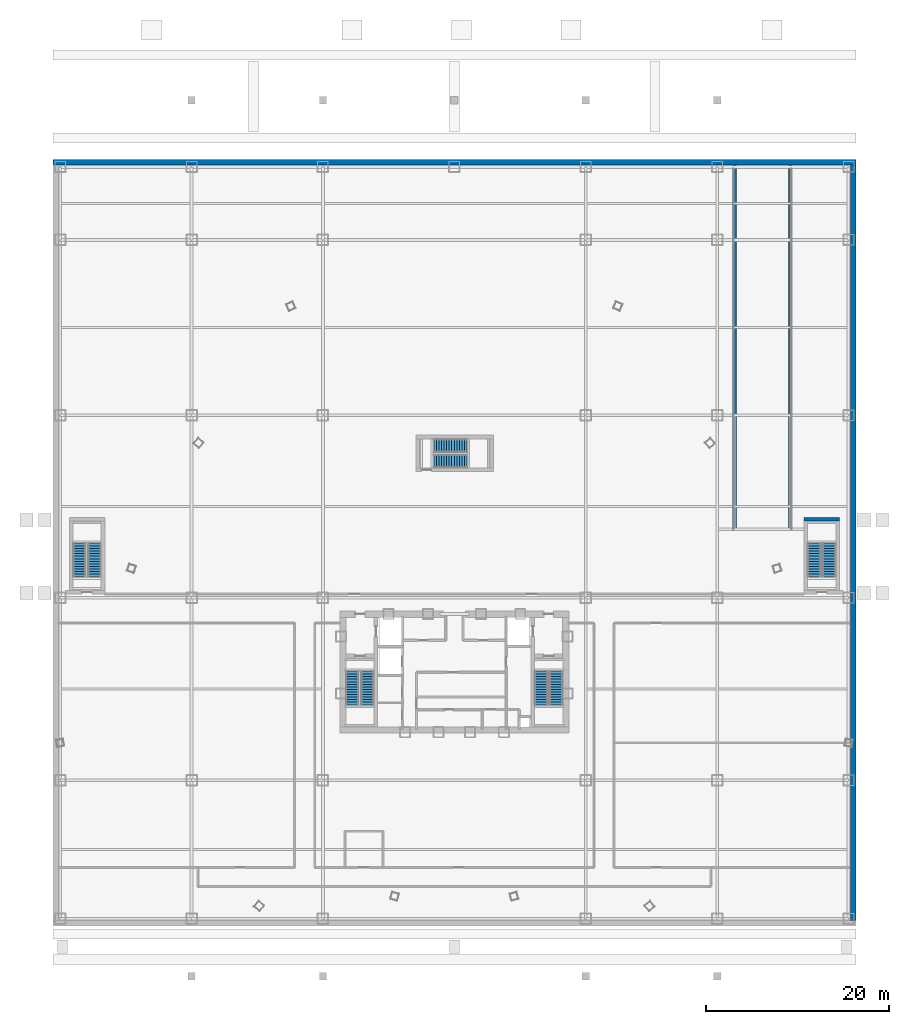
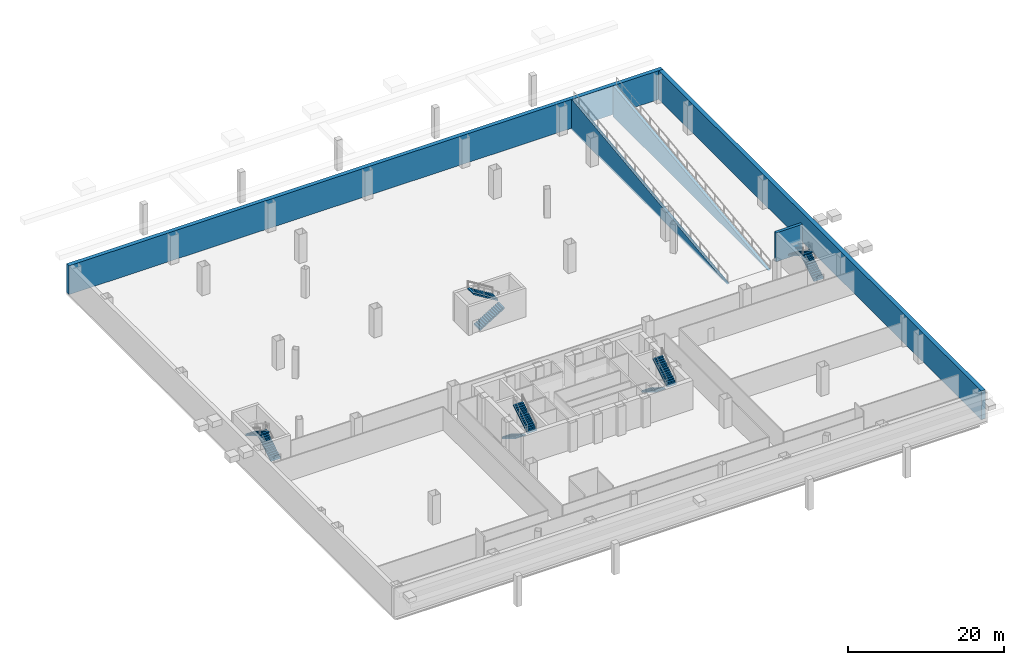
# One storey, part 12 of 16: 10 stair flights, 5 walls, 5 elements without a shape of their own.
"""IFC4 building model written with IfcOpenShell, lengths in metres."""

from ifc_helpers import new_model, si_unit, direction, frame, frame_2d, origin, place, context, subcontext, project, spatial, polyline, rectangle, outline, extrude, source, transform, mapped, material, layer, layer_set, type_object, element, aggregate, save


model = new_model("IFC4")

# Units and contexts
model_context = context("Model", 3, precision=1e-05, world=origin(), true_north=direction((0.0, 1.0)))
body_context = subcontext(model_context, "Body", "Model", "MODEL_VIEW")
ifc_project = project(units=[si_unit("LENGTHUNIT", "METRE"), si_unit("AREAUNIT", "SQUARE_METRE"), si_unit("VOLUMEUNIT", "CUBIC_METRE"), si_unit("PLANEANGLEUNIT", "RADIAN"), si_unit("MASSUNIT", "GRAM", prefix="KILO"), si_unit("THERMODYNAMICTEMPERATUREUNIT", "KELVIN"), si_unit("POWERUNIT", "WATT")], contexts=[model_context])

# Site, building, storey
site_placement = place(None, origin())
site = spatial("IfcSite", under=ifc_project, at=site_placement, CompositionType="ELEMENT")
building_placement = place(site_placement, origin())
building = spatial("IfcBuilding", under=site, at=building_placement, Name="Yunzhuo Pagoda Commons", CompositionType="ELEMENT")
storey_placement = place(building_placement, frame((0.0, 0.0, -4.800048828125)))
storey = spatial("IfcBuildingStorey", under=building, at=storey_placement, Name="B01", CompositionType="ELEMENT", Elevation=-4.800048828125)

# Walls
ifc_material_1 = material(Name="Concrete C50", Category="concrete")
ifc_layer_1 = layer(ifc_material_1, 0.60009765625)
ifc_layer_set_1 = layer_set([ifc_layer_1], Name="Concrete C50")
wall_type_1 = type_object("IfcWallType", Name="W-B01 Basement Perimeter Retaining Wall 600", PredefinedType="SHEAR", material=ifc_layer_set_1)
wall_1_placement = place(storey_placement, frame((4.0, 89.699951171875, 0.0), z_axis=(0.0, 0.0, 1.0), x_axis=(1.0, 0.0, 0.0)))
element("IfcWall", 1, at=wall_1_placement, inside=storey, type_object=wall_type_1, Name="B01 N basement retaining wall", PredefinedType="SHEAR", context=body_context, shape_type="SweptSolid", body=[
    extrude(rectangle(XDim=88.0, YDim=0.60009765625, at=frame_2d((44.0, 0.0))), origin(), (0.0, 0.0, 1.0), 4.52001953125),
])
wall_2_placement = place(storey_placement, frame((91.699951171875, 6.60009765625, 0.0), z_axis=(0.0, 0.0, 1.0), x_axis=(0.0, 1.0, 0.0)))
element("IfcWall", 2, at=wall_2_placement, inside=storey, type_object=wall_type_1, Name="B01 E basement retaining wall", PredefinedType="SHEAR", context=body_context, shape_type="SweptSolid", body=[
    extrude(rectangle(XDim=82.7998046875, YDim=0.60009765625, at=frame_2d((41.39990234375, 0.0))), origin(), (0.0, 0.0, 1.0), 4.52001953125),
])
ifc_material_2 = material(Name="Concrete C60", Category="concrete")
ifc_layer_2 = layer(ifc_material_2, 0.39990234375)
ifc_layer_set_2 = layer_set([ifc_layer_2], Name="Concrete C60")
wall_type_2 = type_object("IfcWallType", Name="W-S01 Internal Core Shear Web 400", PredefinedType="SHEAR", material=ifc_layer_set_2)
for number, where, z_axis, x_axis, name in (
    (3, (78.699951171875, 49.550048828125, -0.300048828125), (0.0, 0.0, 1.0), (0.0, 1.0, 0.0), "B01 vehicle ramp west sloped support shear wall"),
    (4, (84.800048828125, 49.550048828125, -0.300048828125), (0.0, 0.0, 1.0), (0.0, 1.0, 0.0), "B01 vehicle ramp east sloped support shear wall"),
):
    element("IfcWall", number, at=place(storey_placement, frame(where, z_axis=z_axis, x_axis=x_axis)), inside=storey, type_object=wall_type_2, Name=name, PredefinedType="SHEAR", context=body_context, shape_type="SweptSolid", body=[
        extrude(outline(polyline([(0.0, 0.0), (39.849853515625, 0.0), (39.85009765625, 4.820068359375), (39.449951171875, 4.800048828125), (0.0, 0.010009765625), (0.0, 0.0)])), frame((0.0, 0.199951171875, 0.0), z_axis=(0.0, -1.0, 0.0), x_axis=(1.0, 0.0, 0.0)), (0.0, 0.0, 1.0), 0.39990234375),
    ])
wall_3_placement = place(storey_placement, frame((86.300048828125, 50.60009765625, 0.0), z_axis=(0.0, 0.0, 1.0), x_axis=(1.0, 0.0, 0.0)))
element("IfcWall", 5, at=wall_3_placement, inside=storey, type_object=wall_type_2, Name="B01 PS4 structural stair wall N", PredefinedType="SHEAR", context=body_context, shape_type="SweptSolid", body=[
    extrude(rectangle(XDim=3.89990234375, YDim=0.39990234375, at=frame_2d((1.949951171875, 0.0))), origin(), (0.0, 0.0, 1.0), 4.52001953125),
])

# Stair, stair flights
ifc_material_3 = material(Name="Concrete C40", Category="concrete")
stair_type_1 = type_object("IfcStairType", Name="ST-C1 Core Smokeproof Stair ST1", PredefinedType="HALF_TURN_STAIR", material=ifc_material_3)
stair_1_placement = place(storey_placement, origin())
stair_1 = element("IfcStair", 6, at=stair_1_placement, inside=storey, type_object=stair_type_1, Name="B01 Core smokeproof stair ST1", PredefinedType="HALF_TURN_STAIR")
stair_flight_type_1 = type_object("IfcStairFlightType", Name="STF-C1 Core Stair Flight 1450", PredefinedType="STRAIGHT", material=ifc_material_3)
shared_shape_1 = source(origin(), body_context, "Body", "SweptSolid", [
    extrude(outline(polyline([(0.0, -0.14990234375), (0.0, 0.0), (0.0, 0.17138671875), (0.280029296875, 0.17138671875), (0.280029296875, 0.3427734375), (0.56005859375, 0.3427734375), (0.56005859375, 0.514404296875), (0.840087890625, 0.514404296875), (0.840087890625, 0.685791015625), (1.1201171875, 0.685791015625), (1.1201171875, 0.857177734375), (1.39990234375, 0.857177734375), (1.39990234375, 1.028564453125), (1.679931640625, 1.028564453125), (1.679931640625, 1.199951171875), (1.9599609375, 1.199951171875), (1.9599609375, 1.371337890625), (2.239990234375, 1.371337890625), (2.239990234375, 1.54296875), (2.52001953125, 1.54296875), (2.52001953125, 1.71435546875), (2.800048828125, 1.71435546875), (2.800048828125, 1.8857421875), (3.080078125, 1.8857421875), (3.080078125, 2.05712890625), (3.360107421875, 2.05712890625), (3.360107421875, 2.228515625), (3.639892578125, 2.228515625), (3.639892578125, 2.39990234375), (3.639892578125, 2.052734375), (0.287109375, 0.0), (0.050048828125, -0.14990234375), (0.0, -0.14990234375)])), frame((0.0, 0.72509765625, 0.0), z_axis=(0.0, -1.0, 0.0), x_axis=(1.0, 0.0, 0.0)), (0.0, 0.0, 1.0), 1.449951171875),
])
stair_flight_1_placement = place(storey_placement, frame((36.824951171875, 33.89990234375, 0.0), z_axis=(0.0, 0.0, 1.0), x_axis=(0.0, -1.0, 0.0)))
stair_flight_1 = element("IfcStairFlight", 7, at=stair_flight_1_placement, type_object=stair_flight_type_1, Name="ST1 flight 1", NumberOfRisers=14, NumberOfTreads=13, PredefinedType="STRAIGHT", RiserHeight=0.171428571, TreadLength=0.28, context=body_context, shape_type="MappedRepresentation", body=[
    mapped(shared_shape_1, transform((0.0, 0.0, 0.0), scale=1.0)),
])
stair_flight_2_placement = place(storey_placement, frame((38.47509765625, 30.260009765625, 2.400146484375), z_axis=(0.0, 0.0, 1.0), x_axis=(0.0, 1.0, 0.0)))
stair_flight_2 = element("IfcStairFlight", 8, at=stair_flight_2_placement, type_object=stair_flight_type_1, Name="ST1 flight 2", NumberOfRisers=14, NumberOfTreads=13, PredefinedType="STRAIGHT", RiserHeight=0.171428571, TreadLength=0.28, context=body_context, shape_type="MappedRepresentation", body=[
    mapped(shared_shape_1, transform((0.0, 0.0, 0.0), scale=1.0)),
])
aggregate(stair_1, [stair_flight_1, stair_flight_2])

stair_type_2 = type_object("IfcStairType", Name="ST-C2 Core Smokeproof Stair ST2", PredefinedType="HALF_TURN_STAIR", material=ifc_material_3)
stair_2_placement = place(storey_placement, origin())
stair_2 = element("IfcStair", 9, at=stair_2_placement, inside=storey, type_object=stair_type_2, Name="B01 Core smokeproof stair ST2", PredefinedType="HALF_TURN_STAIR")
stair_flight_type_2 = type_object("IfcStairFlightType", Name="STF-C2 Core Stair Flight 1460", PredefinedType="STRAIGHT", material=ifc_material_3)
stair_flight_3_placement = place(storey_placement, frame((57.52490234375, 33.89990234375, 0.0), z_axis=(0.0, 0.0, 1.0), x_axis=(0.0, -1.0, 0.0)))
stair_flight_3 = element("IfcStairFlight", 10, at=stair_flight_3_placement, type_object=stair_flight_type_2, Name="ST2 flight 1", NumberOfRisers=14, NumberOfTreads=13, PredefinedType="STRAIGHT", RiserHeight=0.171428571, TreadLength=0.28, context=body_context, shape_type="MappedRepresentation", body=[
    mapped(shared_shape_1, transform((0.0, 0.0, 0.0), scale=1.0)),
])
stair_flight_4_placement = place(storey_placement, frame((59.175048828125, 30.260009765625, 2.400146484375), z_axis=(0.0, 0.0, 1.0), x_axis=(0.0, 1.0, 0.0)))
stair_flight_4 = element("IfcStairFlight", 11, at=stair_flight_4_placement, type_object=stair_flight_type_2, Name="ST2 flight 2", NumberOfRisers=14, NumberOfTreads=13, PredefinedType="STRAIGHT", RiserHeight=0.171428571, TreadLength=0.28, context=body_context, shape_type="MappedRepresentation", body=[
    mapped(shared_shape_1, transform((0.0, 0.0, 0.0), scale=1.0)),
])
aggregate(stair_2, [stair_flight_3, stair_flight_4])

stair_type_3 = type_object("IfcStairType", Name="ST-P3 Podium Exit Stair PS3", PredefinedType="HALF_TURN_STAIR", material=ifc_material_3)
stair_3_placement = place(storey_placement, origin())
stair_3 = element("IfcStair", 12, at=stair_3_placement, inside=storey, type_object=stair_type_3, Name="B01 Podium exit stair PS3", PredefinedType="HALF_TURN_STAIR")
stair_flight_type_3 = type_object("IfcStairFlightType", Name="STF-P3 Podium Stair Flight 1455", PredefinedType="STRAIGHT", material=ifc_material_3)
stair_flight_5_placement = place(storey_placement, frame((8.574951171875, 44.300048828125, 0.0), z_axis=(0.0, 0.0, 1.0), x_axis=(0.0, 1.0, 0.0)))
stair_flight_5 = element("IfcStairFlight", 13, at=stair_flight_5_placement, type_object=stair_flight_type_3, Name="PS3 flight 1", NumberOfRisers=14, NumberOfTreads=13, PredefinedType="STRAIGHT", RiserHeight=0.171428571, TreadLength=0.28, context=body_context, shape_type="MappedRepresentation", body=[
    mapped(shared_shape_1, transform((0.0, 0.0, 0.0), scale=1.0)),
])
stair_flight_6_placement = place(storey_placement, frame((6.925048828125, 47.93994140625, 2.400146484375), z_axis=(0.0, 0.0, 1.0), x_axis=(0.0, -1.0, 0.0)))
stair_flight_6 = element("IfcStairFlight", 14, at=stair_flight_6_placement, type_object=stair_flight_type_3, Name="PS3 flight 2", NumberOfRisers=14, NumberOfTreads=13, PredefinedType="STRAIGHT", RiserHeight=0.171428571, TreadLength=0.28, context=body_context, shape_type="MappedRepresentation", body=[
    mapped(shared_shape_1, transform((0.0, 0.0, 0.0), scale=1.0)),
])
aggregate(stair_3, [stair_flight_5, stair_flight_6])

stair_type_4 = type_object("IfcStairType", Name="ST-P4 Podium Exit Stair PS4", PredefinedType="HALF_TURN_STAIR", material=ifc_material_3)
stair_4_placement = place(storey_placement, origin())
stair_4 = element("IfcStair", 15, at=stair_4_placement, inside=storey, type_object=stair_type_4, Name="B01 Podium exit stair PS4", PredefinedType="HALF_TURN_STAIR")
stair_flight_type_4 = type_object("IfcStairFlightType", Name="STF-P4 Podium Stair Flight 1465", PredefinedType="STRAIGHT", material=ifc_material_3)
stair_flight_7_placement = place(storey_placement, frame((89.074951171875, 44.300048828125, 0.0), z_axis=(0.0, 0.0, 1.0), x_axis=(0.0, 1.0, 0.0)))
stair_flight_7 = element("IfcStairFlight", 16, at=stair_flight_7_placement, type_object=stair_flight_type_4, Name="PS4 flight 1", NumberOfRisers=14, NumberOfTreads=13, PredefinedType="STRAIGHT", RiserHeight=0.171428571, TreadLength=0.28, context=body_context, shape_type="MappedRepresentation", body=[
    mapped(shared_shape_1, transform((0.0, 0.0, 0.0), scale=1.0)),
])
stair_flight_8_placement = place(storey_placement, frame((87.425048828125, 47.93994140625, 2.400146484375), z_axis=(0.0, 0.0, 1.0), x_axis=(0.0, -1.0, 0.0)))
stair_flight_8 = element("IfcStairFlight", 17, at=stair_flight_8_placement, type_object=stair_flight_type_4, Name="PS4 flight 2", NumberOfRisers=14, NumberOfTreads=13, PredefinedType="STRAIGHT", RiserHeight=0.171428571, TreadLength=0.28, context=body_context, shape_type="MappedRepresentation", body=[
    mapped(shared_shape_1, transform((0.0, 0.0, 0.0), scale=1.0)),
])
aggregate(stair_4, [stair_flight_7, stair_flight_8])

stair_type_5 = type_object("IfcStairType", Name="ST-C3 North Tower Smokeproof Stair ST3", PredefinedType="HALF_TURN_STAIR", material=ifc_material_3)
stair_5_placement = place(storey_placement, origin())
stair_5 = element("IfcStair", 18, at=stair_5_placement, inside=storey, type_object=stair_type_5, Name="B01 North tower smokeproof stair ST3", PredefinedType="HALF_TURN_STAIR")
stair_flight_type_5 = type_object("IfcStairFlightType", Name="STF-C3 North Stair Flight 1500", PredefinedType="STRAIGHT", material=ifc_material_3)
shared_shape_2 = source(origin(), body_context, "Body", "SweptSolid", [
    extrude(outline(polyline([(0.0, -0.14990234375), (0.0, 0.0), (0.0, 0.17138671875), (0.280029296875, 0.17138671875), (0.280029296875, 0.3427734375), (0.56005859375, 0.3427734375), (0.56005859375, 0.514404296875), (0.840087890625, 0.514404296875), (0.840087890625, 0.685791015625), (1.1201171875, 0.685791015625), (1.1201171875, 0.857177734375), (1.39990234375, 0.857177734375), (1.39990234375, 1.028564453125), (1.679931640625, 1.028564453125), (1.679931640625, 1.199951171875), (1.9599609375, 1.199951171875), (1.9599609375, 1.371337890625), (2.239990234375, 1.371337890625), (2.239990234375, 1.54296875), (2.52001953125, 1.54296875), (2.52001953125, 1.71435546875), (2.800048828125, 1.71435546875), (2.800048828125, 1.8857421875), (3.080078125, 1.8857421875), (3.080078125, 2.05712890625), (3.360107421875, 2.05712890625), (3.360107421875, 2.228515625), (3.639892578125, 2.228515625), (3.639892578125, 2.39990234375), (3.639892578125, 2.052734375), (0.287109375, 0.0), (0.050048828125, -0.14990234375), (0.0, -0.14990234375)])), frame((0.0, 0.75, 0.0), z_axis=(0.0, -1.0, 0.0), x_axis=(1.0, 0.0, 0.0)), (0.0, 0.0, 1.0), 1.5),
])
stair_flight_9_placement = place(storey_placement, frame((45.75, 56.949951171875, 0.0), z_axis=(0.0, 0.0, 1.0), x_axis=(1.0, 0.0, 0.0)))
stair_flight_9 = element("IfcStairFlight", 19, at=stair_flight_9_placement, type_object=stair_flight_type_5, Name="ST3 flight 1", NumberOfRisers=14, NumberOfTreads=13, PredefinedType="STRAIGHT", RiserHeight=0.171428571, TreadLength=0.28, context=body_context, shape_type="MappedRepresentation", body=[
    mapped(shared_shape_2, transform((0.0, 0.0, 0.0), scale=1.0)),
])
stair_flight_10_placement = place(storey_placement, frame((49.389892578125, 58.64990234375, 2.400146484375), z_axis=(0.0, 0.0, 1.0), x_axis=(-1.0, 0.0, 0.0)))
stair_flight_10 = element("IfcStairFlight", 20, at=stair_flight_10_placement, type_object=stair_flight_type_5, Name="ST3 flight 2", NumberOfRisers=14, NumberOfTreads=13, PredefinedType="STRAIGHT", RiserHeight=0.171428571, TreadLength=0.28, context=body_context, shape_type="MappedRepresentation", body=[
    mapped(shared_shape_2, transform((0.0, 0.0, 0.0), scale=1.0)),
])
aggregate(stair_5, [stair_flight_9, stair_flight_10])

save(model, "model.ifc")
